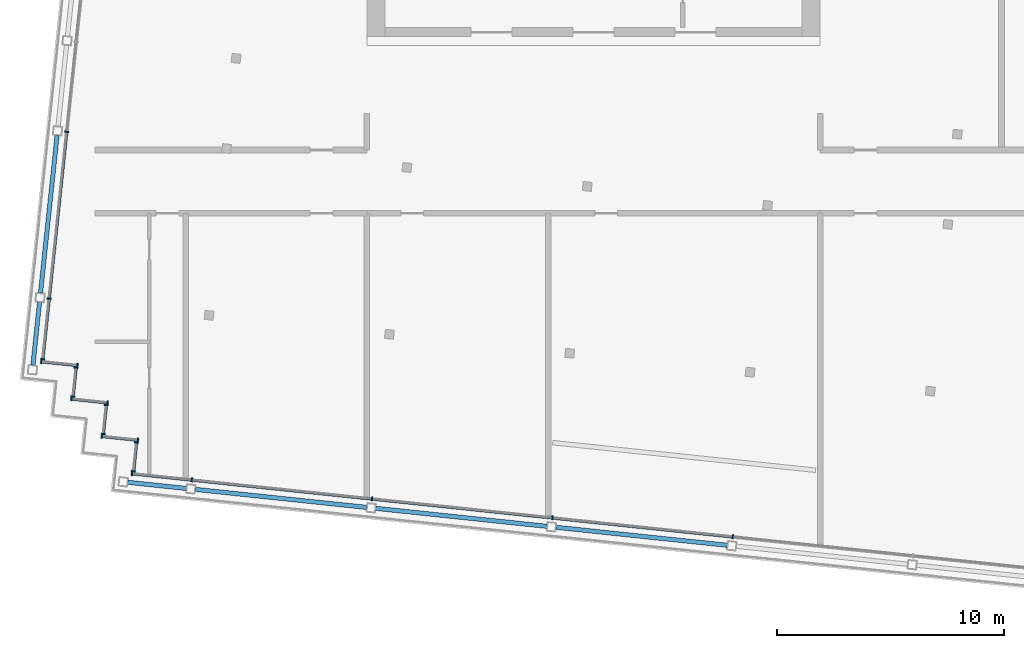
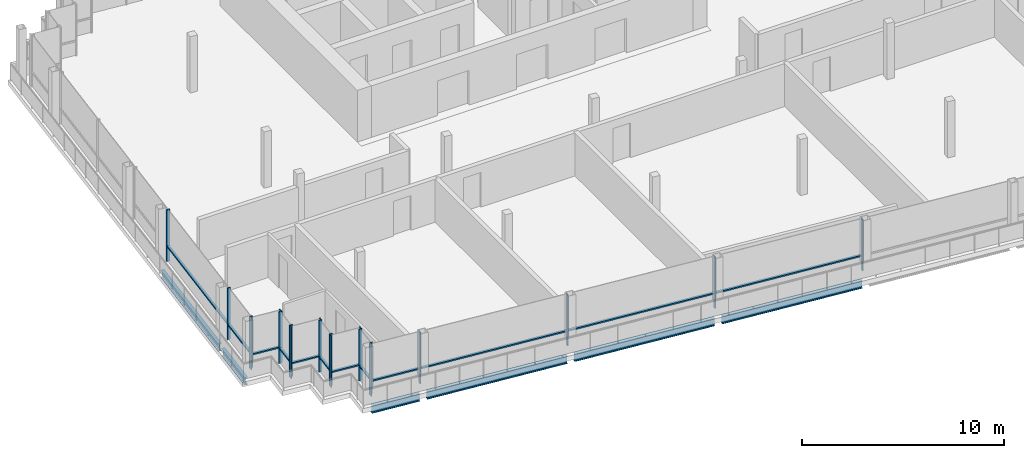
# One storey, part 3 of 15: 32 members, 6 beams, 8 elements without a shape of their own.
"""IFC4 building model written with IfcOpenShell, lengths in metres."""

from ifc_helpers import new_model, si_unit, direction, frame, origin, origin_2d, place, context, subcontext, project, spatial, rectangle, i_section, extrude, material, material_profile, profile_set, type_object, element, aggregate, save


model = new_model("IFC4")

# Units and contexts
model_context = context("Model", 3, precision=1e-05, world=origin(), true_north=direction((0.0, 1.0)))
body_context = subcontext(model_context, "Body", "Model", "MODEL_VIEW")
ifc_project = project(units=[si_unit("LENGTHUNIT", "METRE"), si_unit("AREAUNIT", "SQUARE_METRE"), si_unit("VOLUMEUNIT", "CUBIC_METRE"), si_unit("PLANEANGLEUNIT", "RADIAN"), si_unit("MASSUNIT", "GRAM", prefix="KILO")], contexts=[model_context])

# Site, building, storey
site_placement = place(None, origin())
site = spatial("IfcSite", under=ifc_project, at=site_placement, CompositionType="ELEMENT")
building_placement = place(site_placement, origin())
building = spatial("IfcBuilding", under=site, at=building_placement, Name="Vidyagriha Tower", CompositionType="ELEMENT")
storey_placement = place(building_placement, frame((0.0, 0.0, 294.89990234375)))
storey = spatial("IfcBuildingStorey", under=building, at=storey_placement, Name="L76", CompositionType="ELEMENT", Elevation=294.89990234375)

# Beams
ifc_material_1 = material(Name="Steel ASTM A992 Grade 50", Category="steel")
ifc_material_profile_1 = material_profile(ifc_material_1, i_section(OverallWidth=0.19189453125, OverallDepth=0.46240234375, WebThickness=0.010498046875, FlangeThickness=0.017578125, at=origin_2d()), Name="W18X60")
ifc_profile_set_1 = profile_set([ifc_material_profile_1], Name="Steel ASTM A992 Grade 50")
beam_type = type_object("IfcBeamType", Name="Edge beam W18X60", PredefinedType="SPANDREL", material=ifc_profile_set_1)
beam_1_placement = place(storey_placement, frame((-20.552978515625, -13.263427734375, -0.510986328125), z_axis=(0.99451368233, -0.104606575594, 0.0), x_axis=(0.104606575594, 0.99451368233, 0.0)))
element("IfcBeam", 1, at=beam_1_placement, inside=storey, type_object=beam_type, Name="st-beam-L76-S01", PredefinedType="SPANDREL", context=body_context, shape_type="SweptSolid", body=[
    extrude(i_section(OverallWidth=0.19189453125, OverallDepth=0.46240234375, WebThickness=0.010498046875, FlangeThickness=0.017578125, at=origin_2d()), origin(), (0.0, 0.0, 1.0), 2.599853515625),
])
for number, where, z_axis, x_axis, name in (
    (2, (-17.569580078125, -13.5771484375, -0.510986328125), (0.994521634953, -0.104530940926, 0.0), (0.104530940926, 0.994521634953, 0.0), "st-beam-L76-S02"),
    (3, (-9.61328125, -14.413330078125, -0.510986328125), (0.994521634953, -0.104530940926, 0.0), (0.104530940926, 0.994521634953, 0.0), "st-beam-L76-S03"),
    (4, (-1.6572265625, -15.24951171875, -0.510986328125), (0.994521634953, -0.104530940926, 0.0), (0.104530940926, 0.994521634953, 0.0), "st-beam-L76-S04"),
):
    element("IfcBeam", number, at=place(storey_placement, frame(where, z_axis=z_axis, x_axis=x_axis)), inside=storey, type_object=beam_type, Name=name, PredefinedType="SPANDREL", context=body_context, shape_type="SweptSolid", body=[
        extrude(i_section(OverallWidth=0.19189453125, OverallDepth=0.46240234375, WebThickness=0.010498046875, FlangeThickness=0.017578125, at=origin_2d()), origin(), (0.0, 0.0, 1.0), 7.60009765625),
    ])
beam_2_placement = place(storey_placement, frame((-24.736083984375, -8.097900390625, -0.510986328125), z_axis=(0.104544080685, 0.994520253788, 0.0), x_axis=(-0.994520253788, 0.104544080685, 0.0)))
element("IfcBeam", 5, at=beam_2_placement, inside=storey, type_object=beam_type, Name="st-beam-L76-W08", PredefinedType="SPANDREL", context=body_context, shape_type="SweptSolid", body=[
    extrude(i_section(OverallWidth=0.19189453125, OverallDepth=0.46240234375, WebThickness=0.010498046875, FlangeThickness=0.017578125, at=origin_2d()), origin(), (0.0, 0.0, 1.0), 2.800048828125),
])
beam_3_placement = place(storey_placement, frame((-24.401611328125, -4.91552734375, -0.510986328125), z_axis=(0.104526832686, 0.994522066748, 0.0), x_axis=(-0.994522066748, 0.104526832686, 0.0)))
element("IfcBeam", 6, at=beam_3_placement, inside=storey, type_object=beam_type, Name="st-beam-L76-W09", PredefinedType="SPANDREL", context=body_context, shape_type="SweptSolid", body=[
    extrude(i_section(OverallWidth=0.19189453125, OverallDepth=0.46240234375, WebThickness=0.010498046875, FlangeThickness=0.017578125, at=origin_2d()), origin(), (0.0, 0.0, 1.0), 7.0),
])

# Curtain wall, members
ifc_material_2 = material(Name="Aluminium and glass curtain wall", Category="aluminium")
curtain_wall_type = type_object("IfcCurtainWallType", Name="Lantern glazing wall", PredefinedType="USERDEFINED", material=ifc_material_2)
curtain_wall_1_placement = place(storey_placement, origin())
curtain_wall_1 = element("IfcCurtainWall", 7, at=curtain_wall_1_placement, inside=storey, type_object=curtain_wall_type, Name="CW4 lantern glazing", ObjectType="STICK GLAZING", PredefinedType="USERDEFINED")
ifc_material_3 = material(Name="Aluminium black anodised", Category="aluminium")
ifc_material_profile_2 = material_profile(ifc_material_3, rectangle(XDim=0.179931640625, YDim=0.06005859375, at=origin_2d()), Name="Mullion 60x180 black aluminium")
ifc_profile_set_2 = profile_set([ifc_material_profile_2], Name="Aluminium black anodised")
member_type_1 = type_object("IfcMemberType", Name="Mullion 60x180 black aluminium", PredefinedType="MULLION", material=ifc_profile_set_2)
member_1_placement = place(storey_placement, frame((-23.251220703125, 2.203125, 0.0), z_axis=(0.0, 0.0, 1.0), x_axis=(0.994522018715, -0.104527289697, 0.0)))
member_1 = element("IfcMember", 8, at=member_1_placement, type_object=member_type_1, Name="CW4 mullion 5", PredefinedType="MULLION", context=body_context, shape_type="SweptSolid", body=[
    extrude(rectangle(XDim=0.179931640625, YDim=0.06005859375, at=origin_2d()), origin(), (0.0, 0.0, 1.0), 3.1201171875),
])
member_2_placement = place(storey_placement, frame((-24.024658203125, -5.15625, 0.0), z_axis=(0.0, 0.0, 1.0), x_axis=(0.994522018715, -0.104527289697, 0.0)))
member_2 = element("IfcMember", 9, at=member_2_placement, type_object=member_type_1, Name="CW4 mullion 6", PredefinedType="MULLION", context=body_context, shape_type="SweptSolid", body=[
    extrude(rectangle(XDim=0.179931640625, YDim=0.06005859375, at=origin_2d()), origin(), (0.0, 0.0, 1.0), 3.1201171875),
])
member_3_placement = place(storey_placement, frame((-24.305908203125, -7.83154296875, 0.0), z_axis=(0.0, 0.0, 1.0), x_axis=(0.994522018715, -0.104527289697, 0.0)))
member_3 = element("IfcMember", 10, at=member_3_placement, type_object=member_type_1, Name="CW4 mullion 7", PredefinedType="MULLION", context=body_context, shape_type="SweptSolid", body=[
    extrude(rectangle(XDim=0.179931640625, YDim=0.06005859375, at=origin_2d()), origin(), (0.0, 0.0, 1.0), 3.1201171875),
])

curtain_wall_2_placement = place(storey_placement, origin())
curtain_wall_2 = element("IfcCurtainWall", 11, at=curtain_wall_2_placement, inside=storey, type_object=curtain_wall_type, Name="CW4 lantern glazing", ObjectType="STICK GLAZING", PredefinedType="USERDEFINED")
member_4_placement = place(storey_placement, frame((-24.366943359375, -7.935546875, 0.0), z_axis=(0.0, 0.0, 1.0), x_axis=(0.104518583201, 0.994522933756, 0.0)))
member_4 = element("IfcMember", 12, at=member_4_placement, type_object=member_type_1, Name="CW4 mullion 1", PredefinedType="MULLION", context=body_context, shape_type="SweptSolid", body=[
    extrude(rectangle(XDim=0.179931640625, YDim=0.06005859375, at=origin_2d()), origin(), (0.0, 0.0, 1.0), 3.1201171875),
])
member_5_placement = place(storey_placement, frame((-22.77587890625, -8.102783203125, 0.0), z_axis=(0.0, 0.0, 1.0), x_axis=(0.104518583201, 0.994522933756, 0.0)))
member_5 = element("IfcMember", 13, at=member_5_placement, type_object=member_type_1, Name="CW4 mullion 2", PredefinedType="MULLION", context=body_context, shape_type="SweptSolid", body=[
    extrude(rectangle(XDim=0.179931640625, YDim=0.06005859375, at=origin_2d()), origin(), (0.0, 0.0, 1.0), 3.1201171875),
])

curtain_wall_3_placement = place(storey_placement, origin())
curtain_wall_3 = element("IfcCurtainWall", 14, at=curtain_wall_3_placement, inside=storey, type_object=curtain_wall_type, Name="CW4 lantern glazing", ObjectType="STICK GLAZING", PredefinedType="USERDEFINED")
member_6_placement = place(storey_placement, frame((-22.837158203125, -8.20703125, 0.0), z_axis=(0.0, 0.0, 1.0), x_axis=(0.994518939392, -0.104556583677, 0.0)))
member_6 = element("IfcMember", 15, at=member_6_placement, type_object=member_type_1, Name="CW4 mullion 1", PredefinedType="MULLION", context=body_context, shape_type="SweptSolid", body=[
    extrude(rectangle(XDim=0.179931640625, YDim=0.06005859375, at=origin_2d()), origin(), (0.0, 0.0, 1.0), 3.1201171875),
])
member_7_placement = place(storey_placement, frame((-22.970947265625, -9.47998046875, 0.0), z_axis=(0.0, 0.0, 1.0), x_axis=(0.994518939392, -0.104556583677, 0.0)))
member_7 = element("IfcMember", 16, at=member_7_placement, type_object=member_type_1, Name="CW4 mullion 2", PredefinedType="MULLION", context=body_context, shape_type="SweptSolid", body=[
    extrude(rectangle(XDim=0.179931640625, YDim=0.06005859375, at=origin_2d()), origin(), (0.0, 0.0, 1.0), 3.1201171875),
])

curtain_wall_4_placement = place(storey_placement, origin())
curtain_wall_4 = element("IfcCurtainWall", 17, at=curtain_wall_4_placement, inside=storey, type_object=curtain_wall_type, Name="CW4 lantern glazing", ObjectType="STICK GLAZING", PredefinedType="USERDEFINED")
member_8_placement = place(storey_placement, frame((-23.031982421875, -9.584228515625, 0.0), z_axis=(0.0, 0.0, 1.0), x_axis=(0.104458999463, 0.994529193856, 0.0)))
member_8 = element("IfcMember", 18, at=member_8_placement, type_object=member_type_1, Name="CW4 mullion 1", PredefinedType="MULLION", context=body_context, shape_type="SweptSolid", body=[
    extrude(rectangle(XDim=0.179931640625, YDim=0.06005859375, at=origin_2d()), origin(), (0.0, 0.0, 1.0), 3.1201171875),
])
member_9_placement = place(storey_placement, frame((-21.44091796875, -9.75146484375, 0.0), z_axis=(0.0, 0.0, 1.0), x_axis=(0.104458999463, 0.994529193856, 0.0)))
member_9 = element("IfcMember", 19, at=member_9_placement, type_object=member_type_1, Name="CW4 mullion 2", PredefinedType="MULLION", context=body_context, shape_type="SweptSolid", body=[
    extrude(rectangle(XDim=0.179931640625, YDim=0.06005859375, at=origin_2d()), origin(), (0.0, 0.0, 1.0), 3.1201171875),
])

curtain_wall_5_placement = place(storey_placement, origin())
curtain_wall_5 = element("IfcCurtainWall", 20, at=curtain_wall_5_placement, inside=storey, type_object=curtain_wall_type, Name="CW4 lantern glazing", ObjectType="STICK GLAZING", PredefinedType="USERDEFINED")
member_10_placement = place(storey_placement, frame((-21.501953125, -9.85546875, 0.0), z_axis=(0.0, 0.0, 1.0), x_axis=(0.994519755162, -0.104548823962, 0.0)))
member_10 = element("IfcMember", 21, at=member_10_placement, type_object=member_type_1, Name="CW4 mullion 1", PredefinedType="MULLION", context=body_context, shape_type="SweptSolid", body=[
    extrude(rectangle(XDim=0.179931640625, YDim=0.06005859375, at=origin_2d()), origin(), (0.0, 0.0, 1.0), 3.1201171875),
])
member_11_placement = place(storey_placement, frame((-21.6357421875, -11.128662109375, 0.0), z_axis=(0.0, 0.0, 1.0), x_axis=(0.994519755162, -0.104548823962, 0.0)))
member_11 = element("IfcMember", 22, at=member_11_placement, type_object=member_type_1, Name="CW4 mullion 2", PredefinedType="MULLION", context=body_context, shape_type="SweptSolid", body=[
    extrude(rectangle(XDim=0.179931640625, YDim=0.06005859375, at=origin_2d()), origin(), (0.0, 0.0, 1.0), 3.1201171875),
])

curtain_wall_6_placement = place(storey_placement, origin())
curtain_wall_6 = element("IfcCurtainWall", 23, at=curtain_wall_6_placement, inside=storey, type_object=curtain_wall_type, Name="CW4 lantern glazing", ObjectType="STICK GLAZING", PredefinedType="USERDEFINED")
member_12_placement = place(storey_placement, frame((-21.697021484375, -11.232666015625, 0.0), z_axis=(0.0, 0.0, 1.0), x_axis=(0.104518583201, 0.994522933756, 0.0)))
member_12 = element("IfcMember", 24, at=member_12_placement, type_object=member_type_1, Name="CW4 mullion 1", PredefinedType="MULLION", context=body_context, shape_type="SweptSolid", body=[
    extrude(rectangle(XDim=0.179931640625, YDim=0.06005859375, at=origin_2d()), origin(), (0.0, 0.0, 1.0), 3.1201171875),
])
member_13_placement = place(storey_placement, frame((-20.10595703125, -11.39990234375, 0.0), z_axis=(0.0, 0.0, 1.0), x_axis=(0.104518583201, 0.994522933756, 0.0)))
member_13 = element("IfcMember", 25, at=member_13_placement, type_object=member_type_1, Name="CW4 mullion 2", PredefinedType="MULLION", context=body_context, shape_type="SweptSolid", body=[
    extrude(rectangle(XDim=0.179931640625, YDim=0.06005859375, at=origin_2d()), origin(), (0.0, 0.0, 1.0), 3.1201171875),
])

curtain_wall_7_placement = place(storey_placement, origin())
curtain_wall_7 = element("IfcCurtainWall", 26, at=curtain_wall_7_placement, inside=storey, type_object=curtain_wall_type, Name="CW4 lantern glazing", ObjectType="STICK GLAZING", PredefinedType="USERDEFINED")
member_14_placement = place(storey_placement, frame((-20.1669921875, -11.504150390625, 0.0), z_axis=(0.0, 0.0, 1.0), x_axis=(0.994518939392, -0.104556583677, 0.0)))
member_14 = element("IfcMember", 27, at=member_14_placement, type_object=member_type_1, Name="CW4 mullion 1", PredefinedType="MULLION", context=body_context, shape_type="SweptSolid", body=[
    extrude(rectangle(XDim=0.179931640625, YDim=0.06005859375, at=origin_2d()), origin(), (0.0, 0.0, 1.0), 3.1201171875),
])
member_15_placement = place(storey_placement, frame((-20.30078125, -12.777099609375, 0.0), z_axis=(0.0, 0.0, 1.0), x_axis=(0.994518939392, -0.104556583677, 0.0)))
member_15 = element("IfcMember", 28, at=member_15_placement, type_object=member_type_1, Name="CW4 mullion 2", PredefinedType="MULLION", context=body_context, shape_type="SweptSolid", body=[
    extrude(rectangle(XDim=0.179931640625, YDim=0.06005859375, at=origin_2d()), origin(), (0.0, 0.0, 1.0), 3.1201171875),
])

curtain_wall_8_placement = place(storey_placement, origin())
curtain_wall_8 = element("IfcCurtainWall", 29, at=curtain_wall_8_placement, inside=storey, type_object=curtain_wall_type, Name="CW4 lantern glazing", ObjectType="STICK GLAZING", PredefinedType="USERDEFINED")
member_16_placement = place(storey_placement, frame((-20.362060546875, -12.88134765625, 0.0), z_axis=(0.0, 0.0, 1.0), x_axis=(0.104528251556, 0.99452191762, 0.0)))
member_16 = element("IfcMember", 30, at=member_16_placement, type_object=member_type_1, Name="CW4 mullion 1", PredefinedType="MULLION", context=body_context, shape_type="SweptSolid", body=[
    extrude(rectangle(XDim=0.179931640625, YDim=0.06005859375, at=origin_2d()), origin(), (0.0, 0.0, 1.0), 3.1201171875),
])
member_17_placement = place(storey_placement, frame((-17.7265625, -13.158447265625, 0.0), z_axis=(0.0, 0.0, 1.0), x_axis=(0.104528251556, 0.99452191762, 0.0)))
member_17 = element("IfcMember", 31, at=member_17_placement, type_object=member_type_1, Name="CW4 mullion 2", PredefinedType="MULLION", context=body_context, shape_type="SweptSolid", body=[
    extrude(rectangle(XDim=0.179931640625, YDim=0.06005859375, at=origin_2d()), origin(), (0.0, 0.0, 1.0), 3.1201171875),
])
member_18_placement = place(storey_placement, frame((-9.7705078125, -13.99462890625, 0.0), z_axis=(0.0, 0.0, 1.0), x_axis=(0.104528251556, 0.99452191762, 0.0)))
member_18 = element("IfcMember", 32, at=member_18_placement, type_object=member_type_1, Name="CW4 mullion 3", PredefinedType="MULLION", context=body_context, shape_type="SweptSolid", body=[
    extrude(rectangle(XDim=0.179931640625, YDim=0.06005859375, at=origin_2d()), origin(), (0.0, 0.0, 1.0), 3.1201171875),
])
member_19_placement = place(storey_placement, frame((-1.814208984375, -14.830810546875, 0.0), z_axis=(0.0, 0.0, 1.0), x_axis=(0.104528251556, 0.99452191762, 0.0)))
member_19 = element("IfcMember", 33, at=member_19_placement, type_object=member_type_1, Name="CW4 mullion 4", PredefinedType="MULLION", context=body_context, shape_type="SweptSolid", body=[
    extrude(rectangle(XDim=0.179931640625, YDim=0.06005859375, at=origin_2d()), origin(), (0.0, 0.0, 1.0), 3.1201171875),
])
member_20_placement = place(storey_placement, frame((6.141845703125, -15.6669921875, 0.0), z_axis=(0.0, 0.0, 1.0), x_axis=(0.104528251556, 0.99452191762, 0.0)))
member_20 = element("IfcMember", 34, at=member_20_placement, type_object=member_type_1, Name="CW4 mullion 5", PredefinedType="MULLION", context=body_context, shape_type="SweptSolid", body=[
    extrude(rectangle(XDim=0.179931640625, YDim=0.06005859375, at=origin_2d()), origin(), (0.0, 0.0, 1.0), 3.1201171875),
])

# Member
ifc_material_4 = material(Name="Aluminium black anodised", Category="aluminium")
ifc_material_profile_3 = material_profile(ifc_material_4, rectangle(XDim=0.139892578125, YDim=0.080078125, at=origin_2d()), Name="Transom 80x140 black aluminium")
ifc_profile_set_3 = profile_set([ifc_material_profile_3], Name="Aluminium black anodised")
member_type_2 = type_object("IfcMemberType", Name="Transom 80x140 black aluminium", PredefinedType="USERDEFINED", material=ifc_profile_set_3)
member_21_placement = place(storey_placement, frame((-23.25439453125, 2.17333984375, 0.900146484375), z_axis=(-0.104508177052, -0.994524027326, 0.0), x_axis=(0.994524027326, -0.104508177052, 0.0)))
member_21 = element("IfcMember", 35, at=member_21_placement, type_object=member_type_2, Name="CW4 transom 5.1", ObjectType="TRANSOM", PredefinedType="USERDEFINED", context=body_context, shape_type="SweptSolid", body=[
    extrude(rectangle(XDim=0.139892578125, YDim=0.080078125, at=origin_2d()), origin(), (0.0, 0.0, 1.0), 7.340087890625),
])

member_22_placement = place(storey_placement, frame((-24.02783203125, -5.18603515625, 0.900146484375), z_axis=(-0.104530146087, -0.994521718495, 0.0), x_axis=(0.994521718495, -0.104530146087, 0.0)))
member_22 = element("IfcMember", 36, at=member_22_placement, type_object=member_type_2, Name="CW4 transom 6.1", ObjectType="TRANSOM", PredefinedType="USERDEFINED", context=body_context, shape_type="SweptSolid", body=[
    extrude(rectangle(XDim=0.139892578125, YDim=0.080078125, at=origin_2d()), origin(), (0.0, 0.0, 1.0), 2.6298828125),
])

aggregate(curtain_wall_1, [member_1, member_2, member_3, member_21, member_22])

member_23_placement = place(storey_placement, frame((-24.337158203125, -7.938720703125, 0.900146484375), z_axis=(0.994527149453, -0.104478461899, 0.0), x_axis=(0.104478461899, 0.994527149453, 0.0)))
member_23 = element("IfcMember", 37, at=member_23_placement, type_object=member_type_2, Name="CW4 transom 1.1", ObjectType="TRANSOM", PredefinedType="USERDEFINED", context=body_context, shape_type="SweptSolid", body=[
    extrude(rectangle(XDim=0.139892578125, YDim=0.080078125, at=origin_2d()), origin(), (0.0, 0.0, 1.0), 1.5400390625),
])

aggregate(curtain_wall_2, [member_4, member_5, member_23])

member_24_placement = place(storey_placement, frame((-22.840087890625, -8.237060546875, 0.900146484375), z_axis=(-0.104674366152, -0.994506549536, 0.0), x_axis=(0.994506549536, -0.104674366152, 0.0)))
member_24 = element("IfcMember", 38, at=member_24_placement, type_object=member_type_2, Name="CW4 transom 1.1", ObjectType="TRANSOM", PredefinedType="USERDEFINED", context=body_context, shape_type="SweptSolid", body=[
    extrude(rectangle(XDim=0.139892578125, YDim=0.080078125, at=origin_2d()), origin(), (0.0, 0.0, 1.0), 1.2197265625),
])

aggregate(curtain_wall_3, [member_6, member_7, member_24])

member_25_placement = place(storey_placement, frame((-23.002197265625, -9.58740234375, 0.900146484375), z_axis=(0.994527149453, -0.104478461899, 0.0), x_axis=(0.104478461899, 0.994527149453, 0.0)))
member_25 = element("IfcMember", 39, at=member_25_placement, type_object=member_type_2, Name="CW4 transom 1.1", ObjectType="TRANSOM", PredefinedType="USERDEFINED", context=body_context, shape_type="SweptSolid", body=[
    extrude(rectangle(XDim=0.139892578125, YDim=0.080078125, at=origin_2d()), origin(), (0.0, 0.0, 1.0), 1.5400390625),
])

aggregate(curtain_wall_4, [member_8, member_9, member_25])

member_26_placement = place(storey_placement, frame((-21.505126953125, -9.88525390625, 0.900146484375), z_axis=(-0.104653535604, -0.994508741784, 0.0), x_axis=(0.994508741784, -0.104653535604, 0.0)))
member_26 = element("IfcMember", 40, at=member_26_placement, type_object=member_type_2, Name="CW4 transom 1.1", ObjectType="TRANSOM", PredefinedType="USERDEFINED", context=body_context, shape_type="SweptSolid", body=[
    extrude(rectangle(XDim=0.139892578125, YDim=0.080078125, at=origin_2d()), origin(), (0.0, 0.0, 1.0), 1.219970703125),
])

aggregate(curtain_wall_5, [member_10, member_11, member_26])

member_27_placement = place(storey_placement, frame((-21.667236328125, -11.23583984375, 0.900146484375), z_axis=(0.994527149453, -0.104478461899, 0.0), x_axis=(0.104478461899, 0.994527149453, 0.0)))
member_27 = element("IfcMember", 41, at=member_27_placement, type_object=member_type_2, Name="CW4 transom 1.1", ObjectType="TRANSOM", PredefinedType="USERDEFINED", context=body_context, shape_type="SweptSolid", body=[
    extrude(rectangle(XDim=0.139892578125, YDim=0.080078125, at=origin_2d()), origin(), (0.0, 0.0, 1.0), 1.5400390625),
])

aggregate(curtain_wall_6, [member_12, member_13, member_27])

member_28_placement = place(storey_placement, frame((-20.170166015625, -11.5341796875, 0.900146484375), z_axis=(-0.104476410646, -0.994527364942, 0.0), x_axis=(0.994527364942, -0.104476410646, 0.0)))
member_28 = element("IfcMember", 42, at=member_28_placement, type_object=member_type_2, Name="CW4 transom 1.1", ObjectType="TRANSOM", PredefinedType="USERDEFINED", context=body_context, shape_type="SweptSolid", body=[
    extrude(rectangle(XDim=0.139892578125, YDim=0.080078125, at=origin_2d()), origin(), (0.0, 0.0, 1.0), 1.2197265625),
])

aggregate(curtain_wall_7, [member_14, member_15, member_28])

member_29_placement = place(storey_placement, frame((-20.332275390625, -12.884521484375, 0.900146484375), z_axis=(0.994521452323, -0.104532678478, 0.0), x_axis=(0.104532678478, 0.994521452323, 0.0)))
member_29 = element("IfcMember", 43, at=member_29_placement, type_object=member_type_2, Name="CW4 transom 1.1", ObjectType="TRANSOM", PredefinedType="USERDEFINED", context=body_context, shape_type="SweptSolid", body=[
    extrude(rectangle(XDim=0.139892578125, YDim=0.080078125, at=origin_2d()), origin(), (0.0, 0.0, 1.0), 2.590087890625),
])

member_30_placement = place(storey_placement, frame((-17.69677734375, -13.161376953125, 0.900146484375), z_axis=(0.994520269484, -0.10454393137, 0.0), x_axis=(0.10454393137, 0.994520269484, 0.0)))
member_30 = element("IfcMember", 44, at=member_30_placement, type_object=member_type_2, Name="CW4 transom 2.1", ObjectType="TRANSOM", PredefinedType="USERDEFINED", context=body_context, shape_type="SweptSolid", body=[
    extrude(rectangle(XDim=0.139892578125, YDim=0.080078125, at=origin_2d()), origin(), (0.0, 0.0, 1.0), 7.93994140625),
])

member_31_placement = place(storey_placement, frame((-9.740478515625, -13.997802734375, 0.900146484375), z_axis=(0.994523465953, -0.104513519069, 0.0), x_axis=(0.104513519069, 0.994523465953, 0.0)))
member_31 = element("IfcMember", 45, at=member_31_placement, type_object=member_type_2, Name="CW4 transom 3.1", ObjectType="TRANSOM", PredefinedType="USERDEFINED", context=body_context, shape_type="SweptSolid", body=[
    extrude(rectangle(XDim=0.139892578125, YDim=0.080078125, at=origin_2d()), origin(), (0.0, 0.0, 1.0), 7.93994140625),
])

member_32_placement = place(storey_placement, frame((-1.784423828125, -14.833984375, 0.900146484375), z_axis=(0.994523465953, -0.104513519069, 0.0), x_axis=(0.104513519069, 0.994523465953, 0.0)))
member_32 = element("IfcMember", 46, at=member_32_placement, type_object=member_type_2, Name="CW4 transom 4.1", ObjectType="TRANSOM", PredefinedType="USERDEFINED", context=body_context, shape_type="SweptSolid", body=[
    extrude(rectangle(XDim=0.139892578125, YDim=0.080078125, at=origin_2d()), origin(), (0.0, 0.0, 1.0), 7.93994140625),
])

aggregate(curtain_wall_8, [member_16, member_17, member_18, member_19, member_20, member_29, member_30, member_31, member_32])

save(model, "model.ifc")
